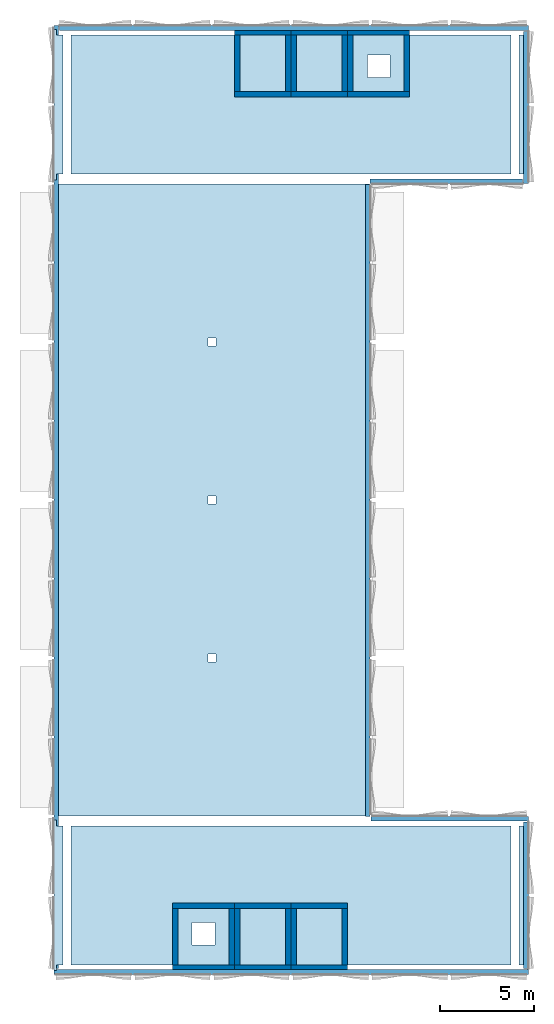
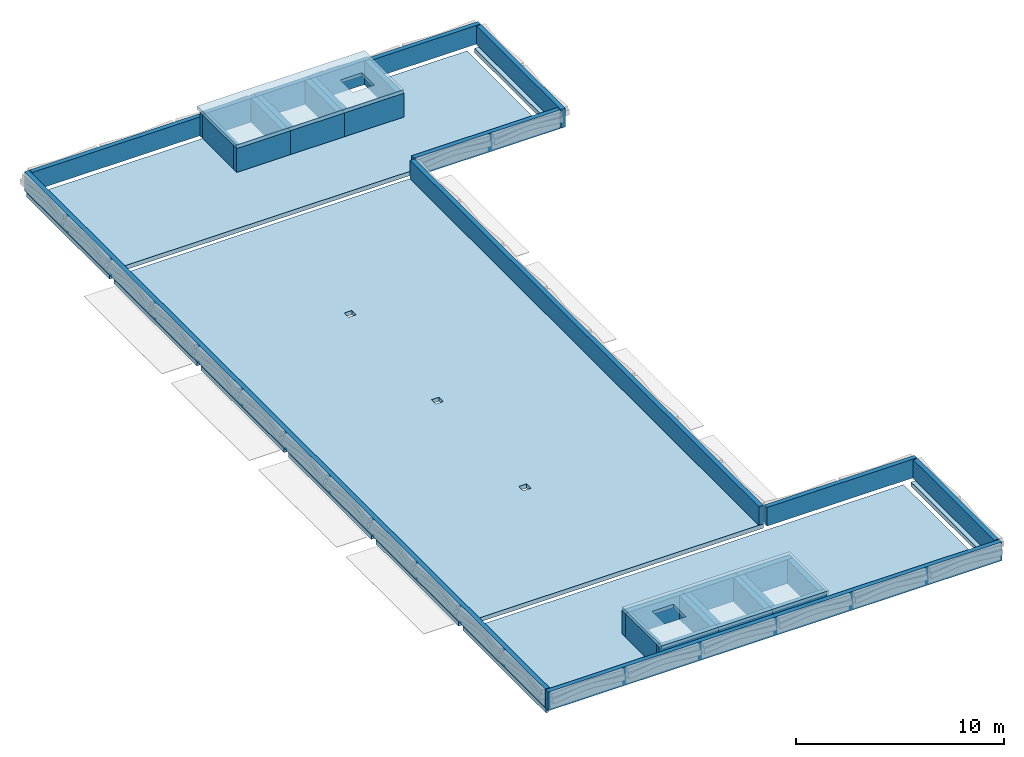
# One storey, part 1 of 4: 32 walls, 9 slabs.
"""IFC4 building model written with IfcOpenShell, lengths in metres."""

import ifcopenshell
import ifcopenshell.guid

model = None  # the IFC model being written
_history = None  # IfcOwnerHistory: only IFC2X3 demands one
_inside = {}  # id of a spatial element -> (the spatial element, [elements in it])
_under = {}  # id of a project, library or spatial element -> (it, [spatial elements below it])
_declared = {}  # id of a project -> (the project, [libraries it declares])
_typed = {}  # id of a type object -> (the type object, [elements of that type])
_made_of = {}  # id of a material, layer set ... -> (it, [elements and type objects made of it])


def new_model(schema):
    """Start an empty IFC model of exactly this schema.

    Asked for "IFC4X3", IfcOpenShell would pick the latest addendum, in which some entities
    have other attributes; the version numbers below select the first issue.
    IFC2X3 requires an IfcOwnerHistory on every rooted entity: one is made here for all.
    """
    global model, _history
    if schema == "IFC4X3":
        model = ifcopenshell.file(schema_version=(4, 3, 0, 0))
    else:
        model = ifcopenshell.file(schema=schema)
    _inside.clear()
    _under.clear()
    _declared.clear()
    _typed.clear()
    _made_of.clear()
    _history = None
    if model.schema == "IFC2X3":
        org = make("IfcOrganization", Name="unknown")
        user = make(
            "IfcPersonAndOrganization",
            ThePerson=make("IfcPerson", FamilyName="unknown"),
            TheOrganization=org,
        )
        app = make(
            "IfcApplication",
            ApplicationDeveloper=org,
            Version="unknown",
            ApplicationFullName="unknown",
            ApplicationIdentifier="unknown",
        )
        _history = make(
            "IfcOwnerHistory",
            OwningUser=user,
            OwningApplication=app,
            ChangeAction="ADDED",
            CreationDate=0,
        )
    return model


def make(cls, **values):
    """One entity of the class cls with the attributes given. An attribute that is None is left unset."""
    return model.create_entity(
        cls, **{name: value for name, value in values.items() if value is not None}
    )


def rooted(cls, **values):
    """An entity with a GlobalId (a new one), such as an element, a storey or a relation."""
    return make(cls, GlobalId=ifcopenshell.guid.new(), OwnerHistory=_history, **values)


def si_unit(unit_type, name, prefix=None):
    """IfcSIUnit, for example si_unit("LENGTHUNIT", "METRE", prefix="MILLI")."""
    return make("IfcSIUnit", UnitType=unit_type, Prefix=prefix, Name=name)


def assignment(units):
    """IfcUnitAssignment: the units of a project."""
    return None if units is None else make("IfcUnitAssignment", Units=units)


def point(xyz):
    """IfcCartesianPoint."""
    return None if xyz is None else make("IfcCartesianPoint", Coordinates=xyz)


def direction(xyz):
    """IfcDirection."""
    return None if xyz is None else make("IfcDirection", DirectionRatios=xyz)


def frame(location, z_axis=None, x_axis=None):
    """IfcAxis2Placement3D, a coordinate frame: its origin and axes. An axis left out is left unset."""
    return make(
        "IfcAxis2Placement3D",
        Location=point(location),
        Axis=direction(z_axis),
        RefDirection=direction(x_axis),
    )


def frame_2d(location, x_axis=None):
    """IfcAxis2Placement2D, a coordinate frame in the plane: its origin and x axis."""
    return make(
        "IfcAxis2Placement2D", Location=point(location), RefDirection=direction(x_axis)
    )


def origin():
    """The frame at (0, 0, 0) with its axes left unset."""
    return frame((0.0, 0.0, 0.0))


def place(relative_to, where):
    """IfcLocalPlacement: puts the frame where relative to a parent placement (None: the world)."""
    return make(
        "IfcLocalPlacement", PlacementRelTo=relative_to, RelativePlacement=where
    )


def context(
    kind, dimensions, precision=None, world=None, true_north=None, identifier=None
):
    """IfcGeometricRepresentationContext, for example the 3D "Model" context."""
    return make(
        "IfcGeometricRepresentationContext",
        ContextIdentifier=identifier,
        ContextType=kind,
        CoordinateSpaceDimension=dimensions,
        Precision=precision,
        WorldCoordinateSystem=world,
        TrueNorth=true_north,
    )


def subcontext(parent, identifier, kind, view, scale=None):
    """IfcGeometricRepresentationSubContext, for example "Body" below "Model"."""
    return make(
        "IfcGeometricRepresentationSubContext",
        ContextIdentifier=identifier,
        ContextType=kind,
        ParentContext=parent,
        TargetScale=scale,
        TargetView=view,
    )


def project(units=None, contexts=None):
    """IfcProject with its units and contexts."""
    return rooted(
        "IfcProject",
        Name="project",
        RepresentationContexts=contexts,
        UnitsInContext=assignment(units),
    )


def spatial(cls, under=None, at=None, **own):
    """A site, building, storey or space (cls), placed at a placement, below another one or the project."""
    s = rooted(cls, ObjectPlacement=at, **own)
    if under is not None:
        _under.setdefault(under.id(), (under, []))[1].append(s)
    return s


def polyline(points):
    """IfcPolyline through the points."""
    return make("IfcPolyline", Points=[point(p) for p in points])


def profile(cls, at=None, kind="AREA", **sizes):
    """A parametric profile (cls). Its sizes go by their IFC names, for example OverallWidth=200.0."""
    return make(cls, ProfileType=kind, Position=at, **sizes)


def rectangle(**sizes):
    """IfcRectangleProfileDef."""
    return profile("IfcRectangleProfileDef", **sizes)


def outline(outer, holes=None, kind="AREA"):
    """IfcArbitraryClosedProfileDef: a profile drawn as a closed curve; with holes, ...WithVoids."""
    if holes is None:
        return make("IfcArbitraryClosedProfileDef", ProfileType=kind, OuterCurve=outer)
    return make(
        "IfcArbitraryProfileDefWithVoids",
        ProfileType=kind,
        OuterCurve=outer,
        InnerCurves=holes,
    )


def extrude(swept, where, along, depth):
    """IfcExtrudedAreaSolid: the profile swept, set in the frame where, extruded along a direction by depth."""
    return make(
        "IfcExtrudedAreaSolid",
        SweptArea=swept,
        Position=where,
        ExtrudedDirection=direction(along),
        Depth=depth,
    )


def shape(context_of_items, identifier, shape_type, items):
    """IfcShapeRepresentation: the items that make up one representation, for example the "Body"."""
    return make(
        "IfcShapeRepresentation",
        ContextOfItems=context_of_items,
        RepresentationIdentifier=identifier,
        RepresentationType=shape_type,
        Items=items,
    )


def material(Name=None, Category=None):
    """IfcMaterial."""
    return make("IfcMaterial", Name=Name, Category=Category)


def layer(
    of_material, thickness, ventilated=None, Name=None, Category=None, Priority=None
):
    """IfcMaterialLayer: one layer of a wall or slab, of a material (None: an air gap)."""
    return make(
        "IfcMaterialLayer",
        Material=of_material,
        LayerThickness=thickness,
        IsVentilated=ventilated,
        Name=Name,
        Category=Category,
        Priority=Priority,
    )


def layer_set(layers, Name=None):
    """IfcMaterialLayerSet."""
    return make("IfcMaterialLayerSet", MaterialLayers=layers, LayerSetName=Name)


def made_of(thing, what):
    """Note that an element or type object is made of a material, layer set ...; save() writes the relation."""
    if what is not None:
        _made_of.setdefault(what.id(), (what, []))[1].append(thing)
    return thing


def type_object(cls, material=None, **own):
    """A type object (cls), such as IfcWallType, which elements share."""
    return made_of(rooted(cls, **own), material)


def element(
    cls,
    number,
    at=None,
    inside=None,
    cuts=None,
    type_object=None,
    material=None,
    context=None,
    identifier="Body",
    shape_type=None,
    held_by="IfcProductDefinitionShape",
    body=None,
    shapes=None,
    **own,
):
    """One element of the class cls, such as IfcWall. Its Tag is "e" and its number.

    at: its placement. inside: the storey or other place that contains it. cuts: it is an
    opening in that element (IfcRelVoidsElement). A single representation is given by context,
    identifier, shape_type and body (its items); several are given by shapes. held_by: the class
    of the entity that holds the representations. save() writes the other relations.
    """
    e = rooted(cls, Tag="e%d" % number, ObjectPlacement=at, **own)
    if body is not None:
        shapes = [shape(context, identifier, shape_type, body)]
    if shapes is not None:
        e.Representation = make(held_by, Representations=shapes)
    if inside is not None:
        _inside.setdefault(inside.id(), (inside, []))[1].append(e)
    if cuts is not None:
        rooted(
            "IfcRelVoidsElement", RelatingBuildingElement=cuts, RelatedOpeningElement=e
        )
    if type_object is not None:
        _typed.setdefault(type_object.id(), (type_object, []))[1].append(e)
    return made_of(e, material)


def aggregate(whole, parts):
    """IfcRelAggregates: a whole, such as a stair, and the parts it consists of."""
    return rooted("IfcRelAggregates", RelatingObject=whole, RelatedObjects=parts)


def save(model, path):
    """Write the relations noted so far, then the file.

    IfcRelAggregates (storeys below a building ...), IfcRelContainedInSpatialStructure (elements
    in a storey), IfcRelDefinesByType, IfcRelAssociatesMaterial and IfcRelDeclares: one each for
    every whole, place, type object, material and project.
    """
    for whole, parts in _under.values():
        aggregate(whole, parts)
    for where, things in _inside.values():
        rooted(
            "IfcRelContainedInSpatialStructure",
            RelatedElements=things,
            RelatingStructure=where,
        )
    for kind, things in _typed.values():
        rooted("IfcRelDefinesByType", RelatedObjects=things, RelatingType=kind)
    for what, things in _made_of.values():
        rooted("IfcRelAssociatesMaterial", RelatedObjects=things, RelatingMaterial=what)
    for by, libraries in _declared.values():
        rooted("IfcRelDeclares", RelatingContext=by, RelatedDefinitions=libraries)
    model.write(path)


model = new_model("IFC4")

# Units and contexts
model_context = context("Model", 3, precision=1e-05, world=origin(), true_north=direction((0.0, 1.0)))
body_context = subcontext(model_context, "Body", "Model", "MODEL_VIEW")
ifc_project = project(units=[si_unit("LENGTHUNIT", "METRE"), si_unit("AREAUNIT", "SQUARE_METRE"), si_unit("VOLUMEUNIT", "CUBIC_METRE"), si_unit("PLANEANGLEUNIT", "RADIAN"), si_unit("MASSUNIT", "GRAM", prefix="KILO")], contexts=[model_context])

# Site, building, storey
site_placement = place(None, origin())
site = spatial("IfcSite", under=ifc_project, at=site_placement, CompositionType="ELEMENT")
building_placement = place(site_placement, origin())
building = spatial("IfcBuilding", under=site, at=building_placement, Name="Catenary Quay Ferry Terminal", CompositionType="ELEMENT")
storey_placement = place(building_placement, frame((0.0, 0.0, 24.10009765625)))
storey = spatial("IfcBuildingStorey", under=building, at=storey_placement, Name="ROOF", CompositionType="ELEMENT", Elevation=24.10009765625)

# Slabs
ifc_material_1 = material(Name="Concrete C35/45", Category="concrete")
ifc_layer_1 = layer(ifc_material_1, 0.25)
ifc_layer_set_1 = layer_set([ifc_layer_1], Name="Composite roof slab 250")
slab_type_1 = type_object("IfcSlabType", Name="Composite roof slab 250", PredefinedType="ROOF", material=ifc_layer_set_1)
slab_1_placement = place(storey_placement, frame((0.0, 0.0, -0.25)))
element("IfcSlab", 1, at=slab_1_placement, inside=storey, type_object=slab_type_1, Name="Wing roof slab L04", PredefinedType="ROOF", context=body_context, shape_type="SweptSolid", body=[
    extrude(outline(polyline([(25.199951171875, 167.7900390625), (25.340087890625, 167.7900390625), (25.340087890625, 167.489990234375), (25.68994140625, 167.489990234375), (25.68994140625, 160.110107421875), (25.340087890625, 160.110107421875), (25.340087890625, 159.81005859375), (25.199951171875, 159.81005859375), (25.199951171875, 167.7900390625)])), origin(), (0.0, 0.0, 1.0), 0.25),
])
slab_2_placement = place(storey_placement, frame((0.0, 0.0, -0.25)))
element("IfcSlab", 2, at=slab_2_placement, inside=storey, type_object=slab_type_1, Name="Wing roof slab L04", PredefinedType="ROOF", context=body_context, shape_type="SweptSolid", body=[
    extrude(outline(polyline([(25.199951171875, 176.18994140625), (25.409912109375, 176.18994140625), (25.409912109375, 176.610107421875), (25.199951171875, 176.610107421875), (25.199951171875, 184.590087890625), (25.409912109375, 184.590087890625), (25.409912109375, 185.010009765625), (25.199951171875, 185.010009765625), (25.199951171875, 192.989990234375), (25.409912109375, 192.989990234375), (25.409912109375, 193.409912109375), (25.199951171875, 193.409912109375), (25.199951171875, 201.389892578125), (25.409912109375, 201.389892578125), (25.409912109375, 201.590087890625), (42.0, 201.590087890625), (42.0, 193.409912109375), (41.7900390625, 193.409912109375), (41.7900390625, 192.989990234375), (42.0, 192.989990234375), (42.0, 185.010009765625), (41.7900390625, 185.010009765625), (41.7900390625, 184.590087890625), (42.0, 184.590087890625), (42.0, 176.610107421875), (41.7900390625, 176.610107421875), (41.7900390625, 176.18994140625), (42.0, 176.18994140625), (42.0, 168.010009765625), (25.409912109375, 168.010009765625), (25.409912109375, 168.2099609375), (25.199951171875, 168.2099609375), (25.199951171875, 176.18994140625)]), holes=[polyline([(33.81005859375, 176.18994140625), (33.81005859375, 176.610107421875), (33.389892578125, 176.610107421875), (33.389892578125, 176.18994140625), (33.81005859375, 176.18994140625)]), polyline([(33.81005859375, 184.590087890625), (33.81005859375, 185.010009765625), (33.389892578125, 185.010009765625), (33.389892578125, 184.590087890625), (33.81005859375, 184.590087890625)]), polyline([(33.81005859375, 192.989990234375), (33.81005859375, 193.409912109375), (33.389892578125, 193.409912109375), (33.389892578125, 192.989990234375), (33.81005859375, 192.989990234375)])]), origin(), (0.0, 0.0, 1.0), 0.25),
])
slab_3_placement = place(storey_placement, frame((0.0, 0.0, -0.25)))
element("IfcSlab", 3, at=slab_3_placement, inside=storey, type_object=slab_type_1, Name="Wing roof slab L04", PredefinedType="ROOF", context=body_context, shape_type="SweptSolid", body=[
    extrude(outline(polyline([(25.199951171875, 209.7900390625), (25.340087890625, 209.7900390625), (25.340087890625, 209.489990234375), (25.68994140625, 209.489990234375), (25.68994140625, 202.110107421875), (25.340087890625, 202.110107421875), (25.340087890625, 201.81005859375), (25.199951171875, 201.81005859375), (25.199951171875, 209.7900390625)])), origin(), (0.0, 0.0, 1.0), 0.25),
])
slab_4_placement = place(storey_placement, frame((0.0, 0.0, -0.25)))
element("IfcSlab", 4, at=slab_4_placement, inside=storey, type_object=slab_type_1, Name="Wing roof slab L04", PredefinedType="ROOF", context=body_context, shape_type="SweptSolid", body=[
    extrude(outline(polyline([(50.39990234375, 202.110107421875), (49.909912109375, 202.110107421875), (49.909912109375, 209.489990234375), (50.39990234375, 209.489990234375), (50.39990234375, 202.110107421875)])), origin(), (0.0, 0.0, 1.0), 0.25),
])
slab_5_placement = place(storey_placement, frame((0.0, 0.0, -0.25)))
element("IfcSlab", 5, at=slab_5_placement, inside=storey, type_object=slab_type_1, Name="Wing roof slab L04", PredefinedType="ROOF", context=body_context, shape_type="SweptSolid", body=[
    extrude(outline(polyline([(50.39990234375, 160.110107421875), (49.909912109375, 160.110107421875), (49.909912109375, 167.489990234375), (50.39990234375, 167.489990234375), (50.39990234375, 160.110107421875)])), origin(), (0.0, 0.0, 1.0), 0.25),
])
slab_6_placement = place(storey_placement, frame((0.0, 0.0, -0.25)))
element("IfcSlab", 6, at=slab_6_placement, inside=storey, type_object=slab_type_1, Name="Wing roof slab L04", PredefinedType="ROOF", context=body_context, shape_type="SweptSolid", body=[
    extrude(outline(polyline([(26.110107421875, 167.489990234375), (49.489990234375, 167.489990234375), (49.489990234375, 160.110107421875), (40.800048828125, 160.110107421875), (40.800048828125, 163.39990234375), (37.800048828125, 163.39990234375), (34.800048828125, 163.39990234375), (31.5, 163.39990234375), (31.5, 160.110107421875), (26.110107421875, 160.110107421875), (26.110107421875, 167.489990234375)])), origin(), (0.0, 0.0, 1.0), 0.25),
])
slab_7_placement = place(storey_placement, frame((0.0, 0.0, -0.25)))
element("IfcSlab", 7, at=slab_7_placement, inside=storey, type_object=slab_type_1, Name="Wing roof slab L04", PredefinedType="ROOF", context=body_context, shape_type="SweptSolid", body=[
    extrude(outline(polyline([(26.110107421875, 209.489990234375), (34.800048828125, 209.489990234375), (34.800048828125, 206.199951171875), (37.800048828125, 206.199951171875), (40.800048828125, 206.199951171875), (44.10009765625, 206.199951171875), (44.10009765625, 209.489990234375), (49.489990234375, 209.489990234375), (49.489990234375, 202.110107421875), (26.110107421875, 202.110107421875), (26.110107421875, 209.489990234375)])), origin(), (0.0, 0.0, 1.0), 0.25),
])
ifc_material_2 = material(Name="Concrete C50/60", Category="concrete")
ifc_layer_2 = layer(ifc_material_2, 0.199951171875)
ifc_layer_set_2 = layer_set([ifc_layer_2], Name="Lift overrun roof slab 200")
slab_type_2 = type_object("IfcSlabType", Name="Lift overrun roof slab 200", PredefinedType="ROOF", material=ifc_layer_set_2)
slab_8_placement = place(storey_placement, frame((0.0, 0.0, 1.39990234375)))
element("IfcSlab", 8, at=slab_8_placement, inside=storey, type_object=slab_type_2, Name="Lift overrun core roof slab SL1", PredefinedType="ROOF", context=body_context, shape_type="SweptSolid", body=[
    extrude(outline(polyline([(31.5, 159.60009765625), (31.5, 163.39990234375), (40.800048828125, 163.39990234375), (40.800048828125, 159.60009765625), (31.5, 159.60009765625)]), holes=[polyline([(33.75, 162.35009765625), (32.550048828125, 162.35009765625), (32.550048828125, 161.14990234375), (33.75, 161.14990234375), (33.75, 162.35009765625)])]), origin(), (0.0, 0.0, 1.0), 0.199951171875),
])
slab_9_placement = place(storey_placement, frame((0.0, 0.0, 1.39990234375)))
element("IfcSlab", 9, at=slab_9_placement, inside=storey, type_object=slab_type_2, Name="Lift overrun core roof slab SL1", PredefinedType="ROOF", context=body_context, shape_type="SweptSolid", body=[
    extrude(outline(polyline([(34.800048828125, 206.199951171875), (34.800048828125, 210.0), (44.10009765625, 210.0), (44.10009765625, 206.199951171875), (34.800048828125, 206.199951171875)]), holes=[polyline([(43.050048828125, 208.449951171875), (41.85009765625, 208.449951171875), (41.85009765625, 207.25), (43.050048828125, 207.25), (43.050048828125, 208.449951171875)])]), origin(), (0.0, 0.0, 1.0), 0.199951171875),
])

# Walls
ifc_material_3 = material(Name="Masonry and insulation", Category="masonry")
ifc_layer_3 = layer(ifc_material_3, 0.25)
ifc_layer_set_3 = layer_set([ifc_layer_3], Name="EW5")
wall_type_1 = type_object("IfcWallType", Name="EW5", PredefinedType="PARAPET", material=ifc_layer_set_3)
wall_1_placement = place(storey_placement, frame((25.199951171875, 159.72509765625, 0.0), z_axis=(0.0, 0.0, 1.0), x_axis=(1.0, 0.0, 0.0)))
element("IfcWall", 10, at=wall_1_placement, inside=storey, type_object=wall_type_1, Name="Parapet wing s160x251 wall WL72", PredefinedType="PARAPET", context=body_context, shape_type="SweptSolid", body=[
    extrude(rectangle(XDim=25.199951171875, YDim=0.25, at=frame_2d((12.60009765625, 0.0))), origin(), (0.0, 0.0, 1.0), 1.099853515625),
])
wall_2_placement = place(storey_placement, frame((25.324951171875, 159.89990234375, 0.0), z_axis=(0.0, 0.0, 1.0), x_axis=(0.0, 1.0, 0.0)))
element("IfcWall", 11, at=wall_2_placement, inside=storey, type_object=wall_type_1, Name="Parapet wing w25x1601 wall WL73", PredefinedType="PARAPET", context=body_context, shape_type="SweptSolid", body=[
    extrude(rectangle(XDim=50.10009765625, YDim=0.25, at=frame_2d((25.050048828125, 0.0))), origin(), (0.0, 0.0, 1.0), 1.099853515625),
])
wall_3_placement = place(storey_placement, frame((25.5, 209.875, 0.0), z_axis=(0.0, 0.0, 1.0), x_axis=(1.0, 0.0, 0.0)))
element("IfcWall", 12, at=wall_3_placement, inside=storey, type_object=wall_type_1, Name="Parapet wing n210x251 wall WL74", PredefinedType="PARAPET", context=body_context, shape_type="SweptSolid", body=[
    extrude(rectangle(XDim=24.89990234375, YDim=0.25, at=frame_2d((12.449951171875, 0.0))), origin(), (0.0, 0.0, 1.0), 1.099853515625),
])
wall_4_placement = place(storey_placement, frame((50.27490234375, 201.60009765625, 0.0), z_axis=(0.0, 0.0, 1.0), x_axis=(0.0, 1.0, 0.0)))
element("IfcWall", 13, at=wall_4_placement, inside=storey, type_object=wall_type_1, Name="Parapet wing e50x2021 wall WL75", PredefinedType="PARAPET", context=body_context, shape_type="SweptSolid", body=[
    extrude(rectangle(XDim=8.099853515625, YDim=0.25, at=frame_2d((4.0498046875, 0.0))), origin(), (0.0, 0.0, 1.0), 1.099853515625),
])
wall_5_placement = place(storey_placement, frame((42.0, 201.72509765625, 0.0), z_axis=(0.0, 0.0, 1.0), x_axis=(1.0, 0.0, 0.0)))
element("IfcWall", 14, at=wall_5_placement, inside=storey, type_object=wall_type_1, Name="Parapet wing s202x421 wall WL76", PredefinedType="PARAPET", context=body_context, shape_type="SweptSolid", body=[
    extrude(rectangle(XDim=8.10009765625, YDim=0.25, at=frame_2d((4.050048828125, 0.0))), origin(), (0.0, 0.0, 1.0), 1.099853515625),
])
wall_6_placement = place(storey_placement, frame((41.875, 168.0, 0.0), z_axis=(0.0, 0.0, 1.0), x_axis=(0.0, 1.0, 0.0)))
element("IfcWall", 15, at=wall_6_placement, inside=storey, type_object=wall_type_1, Name="Parapet wing e42x1681 wall WL77", PredefinedType="PARAPET", context=body_context, shape_type="SweptSolid", body=[
    extrude(rectangle(XDim=33.550048828125, YDim=0.25, at=frame_2d((16.77490234375, 0.0))), origin(), (0.0, 0.0, 1.0), 1.099853515625),
])
wall_7_placement = place(storey_placement, frame((42.050048828125, 167.875, 0.0), z_axis=(0.0, 0.0, 1.0), x_axis=(1.0, 0.0, 0.0)))
element("IfcWall", 16, at=wall_7_placement, inside=storey, type_object=wall_type_1, Name="Parapet wing n168x421 wall WL78", PredefinedType="PARAPET", context=body_context, shape_type="SweptSolid", body=[
    extrude(rectangle(XDim=8.349853515625, YDim=0.25, at=frame_2d((4.1748046875, 0.0))), origin(), (0.0, 0.0, 1.0), 1.099853515625),
])
wall_8_placement = place(storey_placement, frame((50.27490234375, 159.89990234375, 0.0), z_axis=(0.0, 0.0, 1.0), x_axis=(0.0, 1.0, 0.0)))
element("IfcWall", 17, at=wall_8_placement, inside=storey, type_object=wall_type_1, Name="Parapet wing e50x1601 wall WL79", PredefinedType="PARAPET", context=body_context, shape_type="SweptSolid", body=[
    extrude(rectangle(XDim=7.800048828125, YDim=0.25, at=frame_2d((3.89990234375, 0.0))), origin(), (0.0, 0.0, 1.0), 1.099853515625),
])
ifc_material_4 = material(Name="Concrete C50/60", Category="concrete")
ifc_layer_4 = layer(ifc_material_4, 0.25)
ifc_layer_set_4 = layer_set([ifc_layer_4], Name="Shaft wall 250")
wall_type_2 = type_object("IfcWallType", Name="Shaft wall 250", PredefinedType="SHEAR", material=ifc_layer_set_4)
wall_9_placement = place(storey_placement, frame((31.5, 159.97509765625, 0.0), z_axis=(0.0, 0.0, 1.0), x_axis=(1.0, 0.0, 0.0)))
element("IfcWall", 18, at=wall_9_placement, inside=storey, type_object=wall_type_2, Name="Shaft wall FL1 S", PredefinedType="SHEAR", context=body_context, shape_type="SweptSolid", body=[
    extrude(rectangle(XDim=3.300048828125, YDim=0.25, at=frame_2d((1.64990234375, 0.0))), origin(), (0.0, 0.0, 1.0), 1.39990234375),
])
for number, where, z_axis, x_axis, name in (
    (19, (34.800048828125, 159.97509765625, 0.0), (0.0, 0.0, 1.0), (1.0, 0.0, 0.0), "Shaft wall GL1 S"),
    (20, (37.800048828125, 159.97509765625, 0.0), (0.0, 0.0, 1.0), (1.0, 0.0, 0.0), "Shaft wall GL2 S"),
):
    element("IfcWall", number, at=place(storey_placement, frame(where, z_axis=z_axis, x_axis=x_axis)), inside=storey, type_object=wall_type_2, Name=name, PredefinedType="SHEAR", context=body_context, shape_type="SweptSolid", body=[
        extrude(rectangle(XDim=3.0, YDim=0.25, at=frame_2d((1.5, 0.0))), origin(), (0.0, 0.0, 1.0), 1.39990234375),
    ])
wall_10_placement = place(storey_placement, frame((40.800048828125, 209.625, 0.0), z_axis=(0.0, 0.0, 1.0), x_axis=(1.0, 0.0, 0.0)))
element("IfcWall", 21, at=wall_10_placement, inside=storey, type_object=wall_type_2, Name="Shaft wall FL2 N", PredefinedType="SHEAR", context=body_context, shape_type="SweptSolid", body=[
    extrude(rectangle(XDim=3.300048828125, YDim=0.25, at=frame_2d((1.64990234375, 0.0))), origin(), (0.0, 0.0, 1.0), 1.39990234375),
])
for number, where, z_axis, x_axis, name in (
    (22, (37.800048828125, 209.625, 0.0), (0.0, 0.0, 1.0), (1.0, 0.0, 0.0), "Shaft wall GL3 N"),
    (23, (34.800048828125, 209.625, 0.0), (0.0, 0.0, 1.0), (1.0, 0.0, 0.0), "Shaft wall GL4 N"),
):
    element("IfcWall", number, at=place(storey_placement, frame(where, z_axis=z_axis, x_axis=x_axis)), inside=storey, type_object=wall_type_2, Name=name, PredefinedType="SHEAR", context=body_context, shape_type="SweptSolid", body=[
        extrude(rectangle(XDim=3.0, YDim=0.25, at=frame_2d((1.5, 0.0))), origin(), (0.0, 0.0, 1.0), 1.39990234375),
    ])
ifc_material_5 = material(Name="Concrete C50/60", Category="concrete")
ifc_layer_5 = layer(ifc_material_5, 0.300048828125)
ifc_layer_set_5 = layer_set([ifc_layer_5], Name="Shaft wall 300")
wall_type_3 = type_object("IfcWallType", Name="Shaft wall 300", PredefinedType="SHEAR", material=ifc_layer_set_5)
for number, where, z_axis, x_axis, name in (
    (24, (34.64990234375, 160.10009765625, 0.0), (0.0, 0.0, 1.0), (0.0, 1.0, 0.0), "Shaft wall FL1 E"),
    (25, (31.64990234375, 160.10009765625, 0.0), (0.0, 0.0, 1.0), (0.0, 1.0, 0.0), "Shaft wall FL1 W"),
):
    element("IfcWall", number, at=place(storey_placement, frame(where, z_axis=z_axis, x_axis=x_axis)), inside=storey, type_object=wall_type_3, Name=name, PredefinedType="SHEAR", context=body_context, shape_type="SweptSolid", body=[
        extrude(rectangle(XDim=3.0, YDim=0.300048828125, at=frame_2d((1.5, 0.0))), origin(), (0.0, 0.0, 1.0), 1.39990234375),
    ])
wall_11_placement = place(storey_placement, frame((31.5, 163.25, 0.0), z_axis=(0.0, 0.0, 1.0), x_axis=(1.0, 0.0, 0.0)))
element("IfcWall", 26, at=wall_11_placement, inside=storey, type_object=wall_type_3, Name="Shaft wall FL1 N", PredefinedType="SHEAR", context=body_context, shape_type="SweptSolid", body=[
    extrude(rectangle(XDim=3.300048828125, YDim=0.300048828125, at=frame_2d((1.64990234375, 0.0))), origin(), (0.0, 0.0, 1.0), 1.39990234375),
])
for number, where, z_axis, x_axis, name in (
    (27, (37.64990234375, 160.10009765625, 0.0), (0.0, 0.0, 1.0), (0.0, 1.0, 0.0), "Shaft wall GL1 E"),
    (28, (34.949951171875, 160.10009765625, 0.0), (0.0, 0.0, 1.0), (0.0, 1.0, 0.0), "Shaft wall GL1 W"),
    (29, (34.800048828125, 163.25, 0.0), (0.0, 0.0, 1.0), (1.0, 0.0, 0.0), "Shaft wall GL1 N"),
    (30, (40.64990234375, 160.10009765625, 0.0), (0.0, 0.0, 1.0), (0.0, 1.0, 0.0), "Shaft wall GL2 E"),
    (31, (37.949951171875, 160.10009765625, 0.0), (0.0, 0.0, 1.0), (0.0, 1.0, 0.0), "Shaft wall GL2 W"),
    (32, (37.800048828125, 163.25, 0.0), (0.0, 0.0, 1.0), (1.0, 0.0, 0.0), "Shaft wall GL2 N"),
):
    element("IfcWall", number, at=place(storey_placement, frame(where, z_axis=z_axis, x_axis=x_axis)), inside=storey, type_object=wall_type_3, Name=name, PredefinedType="SHEAR", context=body_context, shape_type="SweptSolid", body=[
        extrude(rectangle(XDim=3.0, YDim=0.300048828125, at=frame_2d((1.5, 0.0))), origin(), (0.0, 0.0, 1.0), 1.39990234375),
    ])
wall_12_placement = place(storey_placement, frame((40.800048828125, 206.35009765625, 0.0), z_axis=(0.0, 0.0, 1.0), x_axis=(1.0, 0.0, 0.0)))
element("IfcWall", 33, at=wall_12_placement, inside=storey, type_object=wall_type_3, Name="Shaft wall FL2 S", PredefinedType="SHEAR", context=body_context, shape_type="SweptSolid", body=[
    extrude(rectangle(XDim=3.300048828125, YDim=0.300048828125, at=frame_2d((1.64990234375, 0.0))), origin(), (0.0, 0.0, 1.0), 1.39990234375),
])
for number, where, z_axis, x_axis, name in (
    (34, (43.949951171875, 206.5, 0.0), (0.0, 0.0, 1.0), (0.0, 1.0, 0.0), "Shaft wall FL2 E"),
    (35, (40.949951171875, 206.5, 0.0), (0.0, 0.0, 1.0), (0.0, 1.0, 0.0), "Shaft wall FL2 W"),
    (36, (37.800048828125, 206.35009765625, 0.0), (0.0, 0.0, 1.0), (1.0, 0.0, 0.0), "Shaft wall GL3 S"),
    (37, (40.64990234375, 206.5, 0.0), (0.0, 0.0, 1.0), (0.0, 1.0, 0.0), "Shaft wall GL3 E"),
    (38, (37.949951171875, 206.5, 0.0), (0.0, 0.0, 1.0), (0.0, 1.0, 0.0), "Shaft wall GL3 W"),
    (39, (34.800048828125, 206.35009765625, 0.0), (0.0, 0.0, 1.0), (1.0, 0.0, 0.0), "Shaft wall GL4 S"),
    (40, (37.64990234375, 206.5, 0.0), (0.0, 0.0, 1.0), (0.0, 1.0, 0.0), "Shaft wall GL4 E"),
    (41, (34.949951171875, 206.5, 0.0), (0.0, 0.0, 1.0), (0.0, 1.0, 0.0), "Shaft wall GL4 W"),
):
    element("IfcWall", number, at=place(storey_placement, frame(where, z_axis=z_axis, x_axis=x_axis)), inside=storey, type_object=wall_type_3, Name=name, PredefinedType="SHEAR", context=body_context, shape_type="SweptSolid", body=[
        extrude(rectangle(XDim=3.0, YDim=0.300048828125, at=frame_2d((1.5, 0.0))), origin(), (0.0, 0.0, 1.0), 1.39990234375),
    ])

save(model, "model.ifc")
